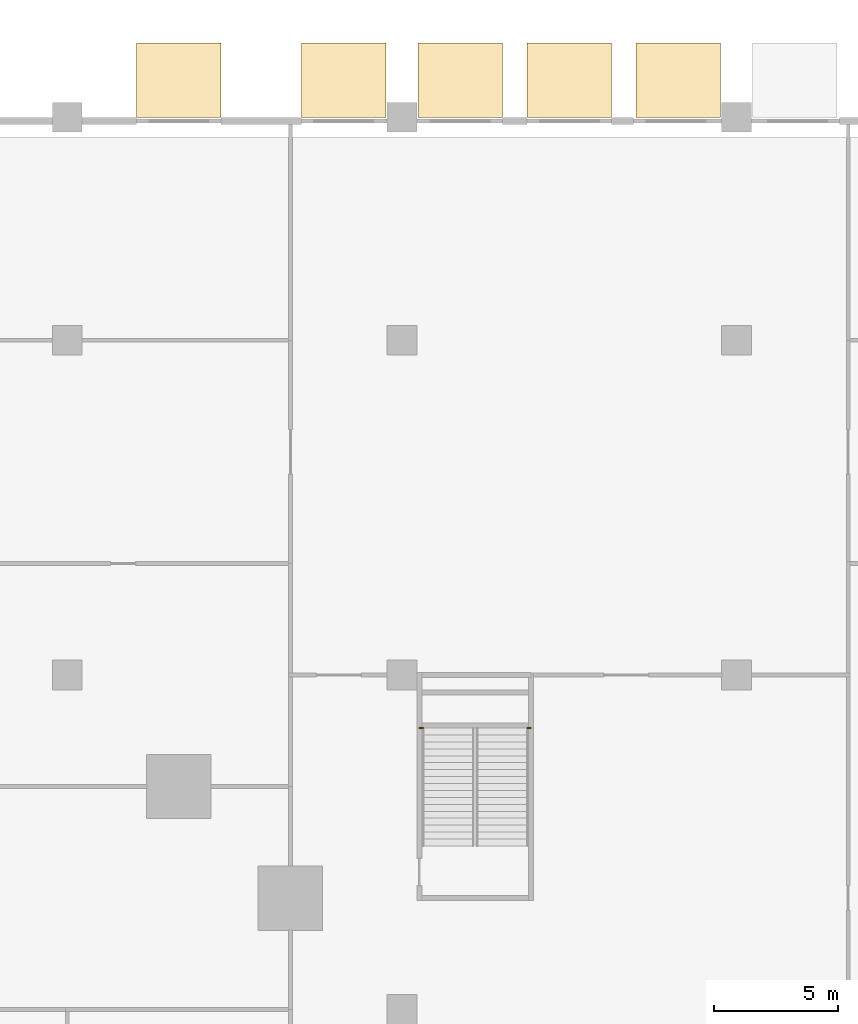
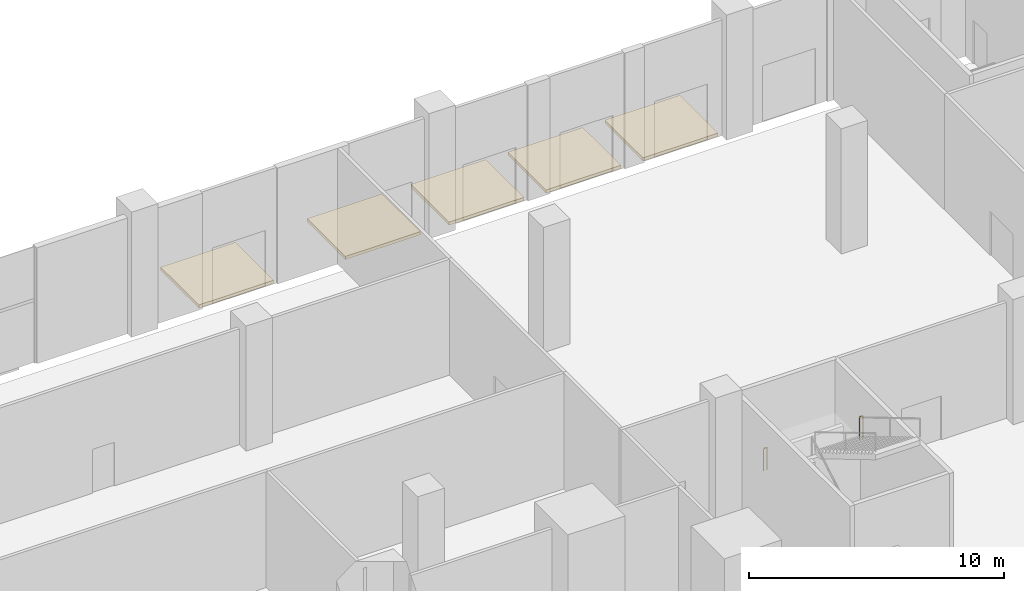
# One storey, part 64 of 68: 5 coverings, 2 railings.
"""IFC4 building model written with IfcOpenShell, lengths in metres."""

from ifc_helpers import new_model, si_unit, direction, frame, origin, origin_2d, place, context, subcontext, project, spatial, polyline, circle, outline, extrude, source, transform, mapped, material, layer, layer_set, type_object, element, save


model = new_model("IFC4")

# Units and contexts
model_context = context("Model", 3, precision=1e-05, world=origin(), true_north=direction((0.0, 1.0)))
body_context = subcontext(model_context, "Body", "Model", "MODEL_VIEW")
ifc_project = project(units=[si_unit("LENGTHUNIT", "METRE"), si_unit("AREAUNIT", "SQUARE_METRE"), si_unit("VOLUMEUNIT", "CUBIC_METRE"), si_unit("PLANEANGLEUNIT", "RADIAN"), si_unit("MASSUNIT", "GRAM", prefix="KILO")], contexts=[model_context])

# Site, building, storey
site_placement = place(None, origin())
site = spatial("IfcSite", under=ifc_project, at=site_placement, CompositionType="ELEMENT")
building_placement = place(site_placement, origin())
building = spatial("IfcBuilding", under=site, at=building_placement, Name="Altepetl Exchange Towers", CompositionType="ELEMENT")
storey_placement = place(building_placement, origin())
storey = spatial("IfcBuildingStorey", under=building, at=storey_placement, Name="L00 Ground concourse", CompositionType="ELEMENT", Elevation=0.0)

# Coverings
ifc_material_1 = material(Name="Cantera limestone paving", Category="masonry")
ifc_layer = layer(ifc_material_1, 0.14990234375)
ifc_layer_set = layer_set([ifc_layer], Name="Cantera limestone paving")
covering_type = type_object("IfcCoveringType", Name="Paving 150 limestone", PredefinedType="FLOORING", material=ifc_layer_set)
covering_1_placement = place(storey_placement, frame((0.0, 0.0, -0.14990234375)))
element("IfcCovering", 1, at=covering_1_placement, inside=storey, type_object=covering_type, Name="Paving", PredefinedType="FLOORING", context=body_context, shape_type="SweptSolid", body=[
    extrude(outline(polyline([(65.800048828125, 99.0), (69.199951171875, 99.0), (69.199951171875, 102.0), (65.800048828125, 102.0), (65.800048828125, 99.0)])), origin(), (0.0, 0.0, 1.0), 0.14990234375),
])
covering_2_placement = place(storey_placement, frame((0.0, 0.0, -0.14990234375)))
element("IfcCovering", 2, at=covering_2_placement, inside=storey, type_object=covering_type, Name="Paving", PredefinedType="FLOORING", context=body_context, shape_type="SweptSolid", body=[
    extrude(outline(polyline([(72.449951171875, 99.0), (75.85009765625, 99.0), (75.85009765625, 102.0), (72.449951171875, 102.0), (72.449951171875, 99.0)])), origin(), (0.0, 0.0, 1.0), 0.14990234375),
])
covering_3_placement = place(storey_placement, frame((0.0, 0.0, -0.14990234375)))
element("IfcCovering", 3, at=covering_3_placement, inside=storey, type_object=covering_type, Name="Paving", PredefinedType="FLOORING", context=body_context, shape_type="SweptSolid", body=[
    extrude(outline(polyline([(77.14990234375, 99.0), (80.550048828125, 99.0), (80.550048828125, 102.0), (77.14990234375, 102.0), (77.14990234375, 99.0)])), origin(), (0.0, 0.0, 1.0), 0.14990234375),
])
covering_4_placement = place(storey_placement, frame((0.0, 0.0, -0.14990234375)))
element("IfcCovering", 4, at=covering_4_placement, inside=storey, type_object=covering_type, Name="Paving", PredefinedType="FLOORING", context=body_context, shape_type="SweptSolid", body=[
    extrude(outline(polyline([(81.550048828125, 99.0), (84.949951171875, 99.0), (84.949951171875, 102.0), (81.550048828125, 102.0), (81.550048828125, 99.0)])), origin(), (0.0, 0.0, 1.0), 0.14990234375),
])
covering_5_placement = place(storey_placement, frame((0.0, 0.0, -0.14990234375)))
element("IfcCovering", 5, at=covering_5_placement, inside=storey, type_object=covering_type, Name="Paving", PredefinedType="FLOORING", context=body_context, shape_type="SweptSolid", body=[
    extrude(outline(polyline([(85.949951171875, 99.0), (89.35009765625, 99.0), (89.35009765625, 102.0), (85.949951171875, 102.0), (85.949951171875, 99.0)])), origin(), (0.0, 0.0, 1.0), 0.14990234375),
])

# Railings
ifc_material_2 = material(Name="Laminated glass and steel", Category="steel")
railing_type = type_object("IfcRailingType", Name="Hall gallery guard 1100", PredefinedType="GUARDRAIL", material=ifc_material_2)
shared_shape = source(origin(), body_context, "Body", "SweptSolid", [
    extrude(circle(Radius=0.02001953125, at=origin_2d()), origin(), (0.0, 0.0, 1.0), 1.050048828125),
])
railing_1_placement = place(storey_placement, frame((77.199951171875, 74.360107421875, 3.0)))
element("IfcRailing", 6, at=railing_1_placement, inside=storey, type_object=railing_type, Name="rail:P:L00:PX2land0", PredefinedType="GUARDRAIL", context=body_context, shape_type="SweptSolid", body=[
    extrude(circle(Radius=0.02490234375, at=origin_2d()), frame((0.0, 0.0, 1.0751953125), z_axis=(1.0, 0.0, 0.0), x_axis=(0.0, 1.0, 0.0)), (0.0, 0.0, 1.0), 0.150146484375),
    mapped(shared_shape, transform((0.0, 0.0, 0.0))),
    mapped(shared_shape, transform((0.150146484375, 0.0, 0.0))),
])
railing_2_placement = place(storey_placement, frame((81.550048828125, 74.360107421875, 3.0)))
element("IfcRailing", 7, at=railing_2_placement, inside=storey, type_object=railing_type, Name="rail:P:L00:PX2land1", PredefinedType="GUARDRAIL", context=body_context, shape_type="SweptSolid", body=[
    extrude(circle(Radius=0.02490234375, at=origin_2d()), frame((0.0, 0.0, 1.0751953125), z_axis=(1.0, 0.0, 0.0), x_axis=(0.0, 1.0, 0.0)), (0.0, 0.0, 1.0), 0.14990234375),
    mapped(shared_shape, transform((0.0, 0.0, 0.0))),
    mapped(shared_shape, transform((0.14990234375, 0.0, 0.0))),
])

save(model, "model.ifc")
